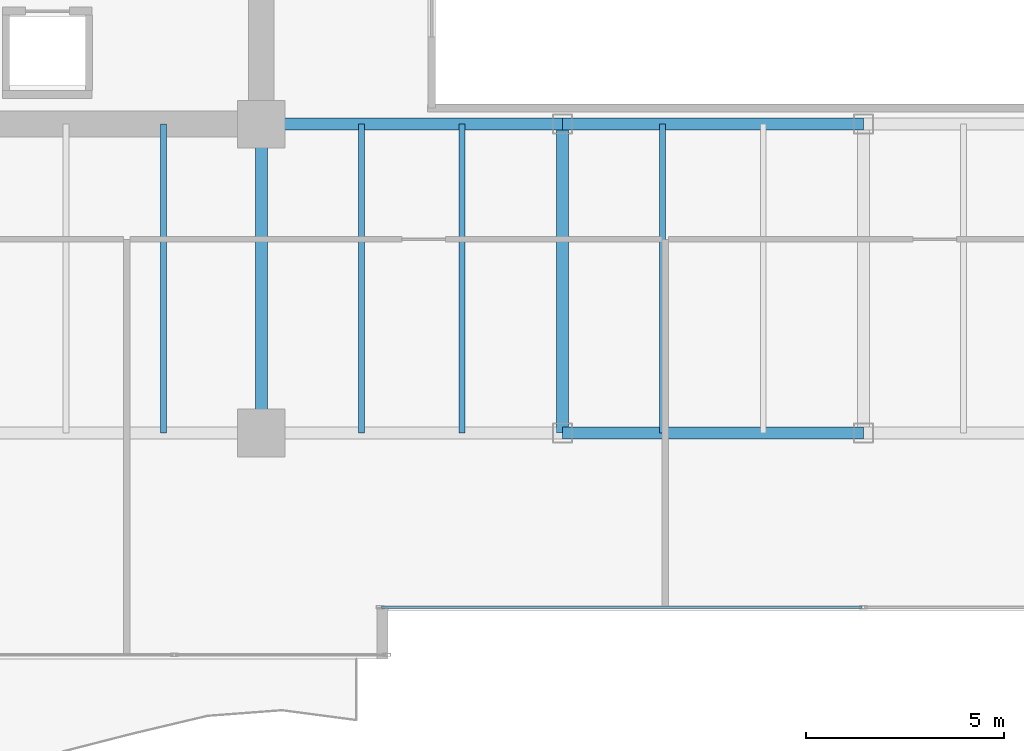
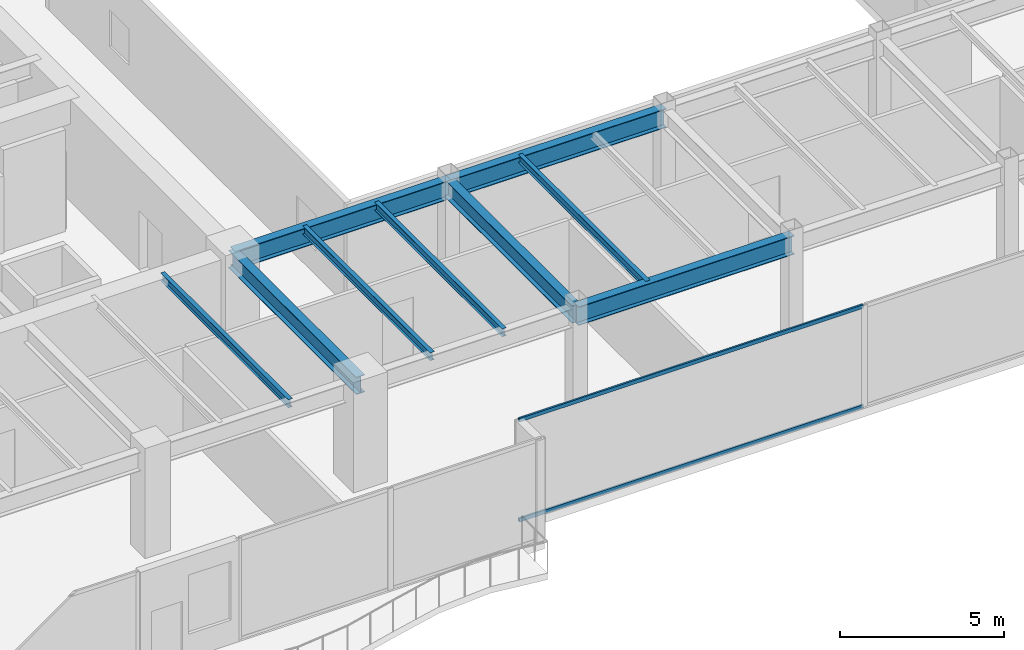
# One storey, part 5 of 30: 9 beams, 2 members, 1 element without a shape of its own.
"""IFC4 building model written with IfcOpenShell, lengths in metres."""

from ifc_helpers import new_model, si_unit, direction, frame, origin, origin_2d, place, context, subcontext, project, spatial, hollow_rectangle, i_section, extrude, source, transform, mapped, material, layer, layer_set, material_profile, profile_set, type_object, type_shapes, element, aggregate, save


model = new_model("IFC4")

# Units and contexts
model_context = context("Model", 3, precision=1e-05, world=origin(), true_north=direction((0.0, 1.0)))
body_context = subcontext(model_context, "Body", "Model", "MODEL_VIEW")
ifc_project = project(units=[si_unit("LENGTHUNIT", "METRE"), si_unit("AREAUNIT", "SQUARE_METRE"), si_unit("VOLUMEUNIT", "CUBIC_METRE"), si_unit("PLANEANGLEUNIT", "RADIAN"), si_unit("MASSUNIT", "GRAM", prefix="KILO")], contexts=[model_context])

# Site, building, storey
site_placement = place(None, origin())
site = spatial("IfcSite", under=ifc_project, at=site_placement, CompositionType="ELEMENT")
building_placement = place(site_placement, origin())
building = spatial("IfcBuilding", under=site, at=building_placement, Name="Haelvirn Gate Laboratories", CompositionType="ELEMENT")
storey_placement = place(building_placement, frame((0.0, 0.0, 146.10009765625)))
storey = spatial("IfcBuildingStorey", under=building, at=storey_placement, Name="L35", CompositionType="ELEMENT", Elevation=146.10009765625)

# Beams
ifc_material_1 = material(Name="Steel SM355", Category="steel")
ifc_material_profile_1 = material_profile(ifc_material_1, i_section(OverallWidth=0.300048828125, OverallDepth=0.64990234375, WebThickness=0.012939453125, FlangeThickness=0.02197265625, at=origin_2d()), Name="H-650x300x13x22")
ifc_profile_set_1 = profile_set([ifc_material_profile_1], Name="Steel SM355")
beam_type_1 = type_object("IfcBeamType", Name="BM-G-650", PredefinedType="BEAM", material=ifc_profile_set_1)
shared_shape_1 = source(origin(), body_context, "Body", "SweptSolid", [
    extrude(i_section(OverallWidth=0.300048828125, OverallDepth=0.64990234375, WebThickness=0.012939453125, FlangeThickness=0.02197265625, at=origin_2d()), origin(), (0.0, 0.0, 1.0), 7.800048828125),
])
type_shapes(beam_type_1, [shared_shape_1])
for number, where, z_axis, x_axis, name in (
    (1, (22.199951171875, 7.0, 3.46484375), (0.0, 1.0, 0.0), (-1.0, 0.0, 0.0), "L35 Frame Girder X22.2 (7.0-14.8)"),
    (2, (29.800048828125, 7.0, 3.46484375), (0.0, 1.0, 0.0), (-1.0, 0.0, 0.0), "L35 Frame Girder X29.8 (7.0-14.8)"),
):
    element("IfcBeam", number, at=place(storey_placement, frame(where, z_axis=z_axis, x_axis=x_axis)), inside=storey, type_object=beam_type_1, Name=name, PredefinedType="BEAM", context=body_context, shape_type="MappedRepresentation", body=[
        mapped(shared_shape_1, transform((0.0, 0.0, 0.0), scale=1.0)),
    ])
ifc_material_profile_2 = material_profile(ifc_material_1, i_section(OverallWidth=0.300048828125, OverallDepth=0.699951171875, WebThickness=0.012939453125, FlangeThickness=0.02392578125, at=origin_2d()), Name="H-700x300x13x24")
ifc_profile_set_2 = profile_set([ifc_material_profile_2], Name="Steel SM355")
beam_type_2 = type_object("IfcBeamType", Name="BM-G-700", PredefinedType="BEAM", material=ifc_profile_set_2)
shared_shape_2 = source(origin(), body_context, "Body", "SweptSolid", [
    extrude(i_section(OverallWidth=0.300048828125, OverallDepth=0.699951171875, WebThickness=0.012939453125, FlangeThickness=0.02392578125, at=origin_2d()), origin(), (0.0, 0.0, 1.0), 7.60009765625),
])
beam_placement = place(storey_placement, frame((22.199951171875, 14.800048828125, 3.43994140625), z_axis=(1.0, 0.0, 0.0), x_axis=(0.0, 1.0, 0.0)))
element("IfcBeam", 3, at=beam_placement, inside=storey, type_object=beam_type_2, Name="L35 Primary Girder Y14.8 (22.2-29.8)", PredefinedType="BEAM", context=body_context, shape_type="MappedRepresentation", body=[
    mapped(shared_shape_2, transform((0.0, 0.0, 0.0), scale=1.0)),
])
shared_shape_3 = source(origin(), body_context, "Body", "SweptSolid", [
    extrude(i_section(OverallWidth=0.300048828125, OverallDepth=0.699951171875, WebThickness=0.012939453125, FlangeThickness=0.02392578125, at=origin_2d()), origin(), (0.0, 0.0, 1.0), 7.599853515625),
])
type_shapes(beam_type_2, [shared_shape_2, shared_shape_3])
for number, where, z_axis, x_axis, name in (
    (4, (29.800048828125, 7.0, 3.43994140625), (1.0, 0.0, 0.0), (0.0, 1.0, 0.0), "L35 Primary Girder Y7.0 (29.8-37.4)"),
    (5, (29.800048828125, 14.800048828125, 3.43994140625), (1.0, 0.0, 0.0), (0.0, 1.0, 0.0), "L35 Primary Girder Y14.8 (29.8-37.4)"),
):
    element("IfcBeam", number, at=place(storey_placement, frame(where, z_axis=z_axis, x_axis=x_axis)), inside=storey, type_object=beam_type_2, Name=name, PredefinedType="BEAM", context=body_context, shape_type="MappedRepresentation", body=[
        mapped(shared_shape_3, transform((0.0, 0.0, 0.0), scale=1.0)),
    ])
ifc_material_profile_3 = material_profile(ifc_material_1, i_section(OverallWidth=0.14990234375, OverallDepth=0.300048828125, WebThickness=0.006591796875, FlangeThickness=0.009033203125, at=origin_2d()), Name="H-300x150x6.5x9")
ifc_profile_set_3 = profile_set([ifc_material_profile_3], Name="Steel SM355")
beam_type_3 = type_object("IfcBeamType", Name="BM-J-300", PredefinedType="JOIST", material=ifc_profile_set_3)
shared_shape_4 = source(origin(), body_context, "Body", "SweptSolid", [
    extrude(i_section(OverallWidth=0.14990234375, OverallDepth=0.300048828125, WebThickness=0.006591796875, FlangeThickness=0.009033203125, at=origin_2d()), origin(), (0.0, 0.0, 1.0), 7.800048828125),
])
type_shapes(beam_type_3, [shared_shape_4])
for number, where, z_axis, x_axis, name in (
    (6, (19.72998046875, 7.0, 3.639892578125), (0.0, 1.0, 0.0), (-1.0, 0.0, 0.0), "L35 Composite Lab Joist South X19.73"),
    (7, (24.72998046875, 7.0, 3.639892578125), (0.0, 1.0, 0.0), (-1.0, 0.0, 0.0), "L35 Composite Lab Joist South X24.73"),
    (8, (27.27001953125, 7.0, 3.639892578125), (0.0, 1.0, 0.0), (-1.0, 0.0, 0.0), "L35 Composite Lab Joist South X27.27"),
    (9, (32.330078125, 7.0, 3.639892578125), (0.0, 1.0, 0.0), (-1.0, 0.0, 0.0), "L35 Composite Lab Joist South X32.33"),
):
    element("IfcBeam", number, at=place(storey_placement, frame(where, z_axis=z_axis, x_axis=x_axis)), inside=storey, type_object=beam_type_3, Name=name, PredefinedType="JOIST", context=body_context, shape_type="MappedRepresentation", body=[
        mapped(shared_shape_4, transform((0.0, 0.0, 0.0), scale=1.0)),
    ])

# Curtain wall, members
ifc_material_2 = material(Name="Anodised bronze unitised aluminium & triple low-E glass", Category="aluminium")
ifc_layer = layer(ifc_material_2, 0.179931640625, Name="CW-SYS-3")
ifc_layer_set = layer_set([ifc_layer], Name="Anodised bronze unitised aluminium & triple low-E glass")
curtain_wall_type = type_object("IfcCurtainWallType", Name="CW-SYS-3", PredefinedType="NOTDEFINED", material=ifc_layer_set)
curtain_wall_placement = place(storey_placement, origin())
curtain_wall = element("IfcCurtainWall", 10, at=curtain_wall_placement, inside=storey, type_object=curtain_wall_type, Name="L35 Unitised Curtain Wall CW-L35-P0-E02-1", PredefinedType="NOTDEFINED")
ifc_material_3 = material(Name="Extruded aluminium 6063-T6 (anodised bronze)", Category="aluminium")
ifc_material_profile_4 = material_profile(ifc_material_3, hollow_rectangle(XDim=0.06494140625, YDim=0.139892578125, WallThickness=0.00390625, at=origin_2d()), Name="CWT-140x65x4")
ifc_profile_set_4 = profile_set([ifc_material_profile_4], Name="Extruded aluminium 6063-T6 (anodised bronze)")
member_type = type_object("IfcMemberType", Name="CWT-T140", PredefinedType="USERDEFINED", material=ifc_profile_set_4)
shared_shape_5 = source(origin(), body_context, "Body", "SweptSolid", [
    extrude(hollow_rectangle(XDim=0.06494140625, YDim=0.139892578125, WallThickness=0.00390625, at=origin_2d()), origin(), (0.0, 0.0, 1.0), 12.12744140625),
])
type_shapes(member_type, [shared_shape_5])
member_1_placement = place(storey_placement, frame((25.235107421875, 2.60009765625, 0.032470703125), z_axis=(1.0, 0.0, 0.0), x_axis=(0.0, 1.0, 0.0)))
member_1 = element("IfcMember", 11, at=member_1_placement, type_object=member_type, Name="CW3 transom 1.1", ObjectType="TRANSOM", PredefinedType="USERDEFINED", context=body_context, shape_type="MappedRepresentation", body=[
    mapped(shared_shape_5, transform((0.0, 0.0, 0.0), scale=1.0)),
])
member_2_placement = place(storey_placement, frame((25.235107421875, 2.60009765625, 3.75732421875), z_axis=(1.0, 0.0, 0.0), x_axis=(0.0, 1.0, 0.0)))
member_2 = element("IfcMember", 12, at=member_2_placement, type_object=member_type, Name="CW3 transom 1.2", ObjectType="TRANSOM", PredefinedType="USERDEFINED", context=body_context, shape_type="MappedRepresentation", body=[
    mapped(shared_shape_5, transform((0.0, 0.0, 0.0), scale=1.0)),
])
aggregate(curtain_wall, [member_1, member_2])

save(model, "model.ifc")
